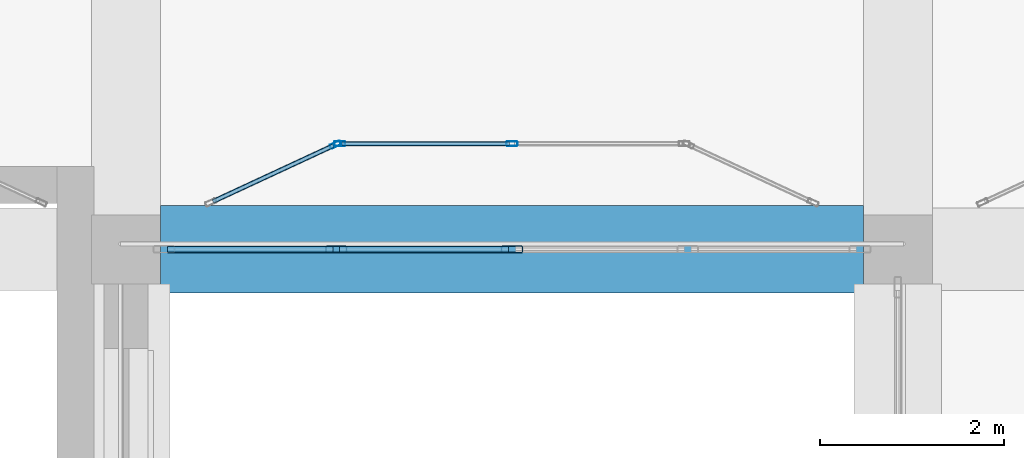
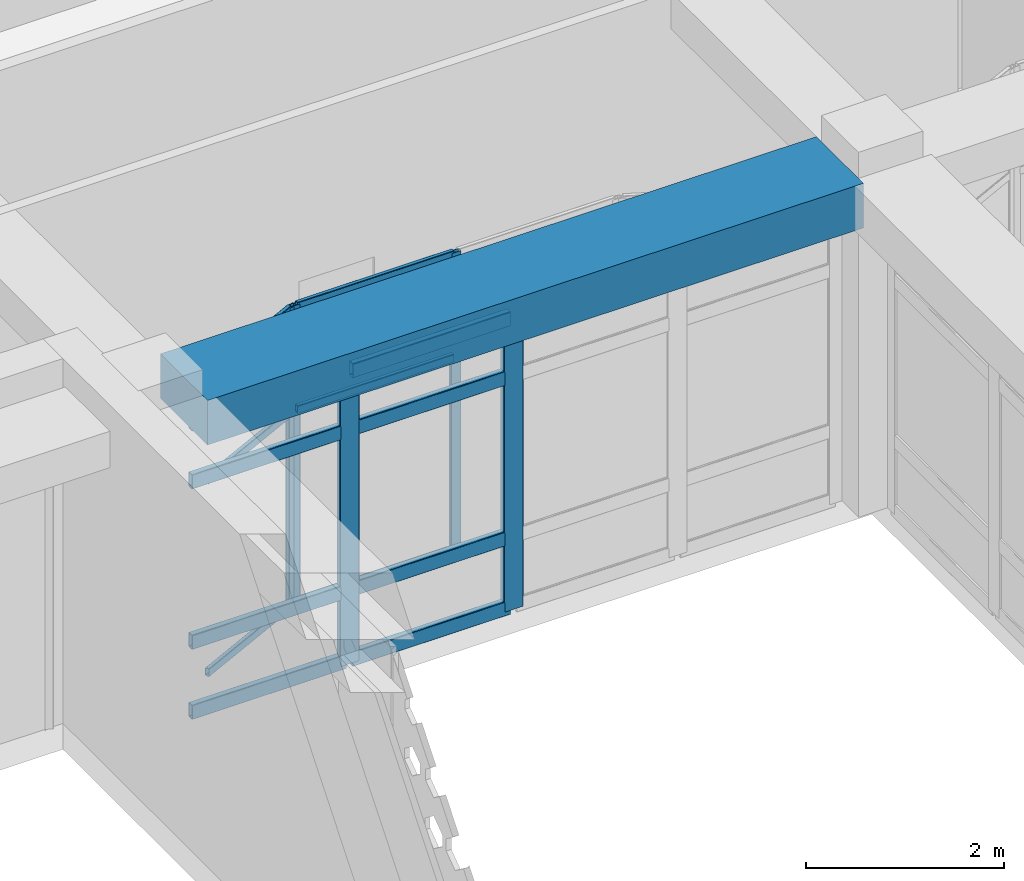
# One storey, part 13 of 121: 19 members, 1 beam, 3 elements without a shape of their own.
"""IFC4 building model written with IfcOpenShell, lengths in metres."""

from ifc_helpers import new_model, si_unit, derived_unit, direction, frame, origin, origin_2d, place, context, subcontext, project, spatial, rectangle, hollow_rectangle, extrude, material, material_profile, profile_set, type_object, element, aggregate, save


model = new_model("IFC4")

# Units and contexts
model_context = context("Model", 3, precision=1e-05, world=origin(), true_north=direction((0.0, 1.0)))
body_context = subcontext(model_context, "Body", "Model", "MODEL_VIEW")
ifc_project = project(units=[si_unit("LENGTHUNIT", "METRE"), si_unit("AREAUNIT", "SQUARE_METRE"), si_unit("VOLUMEUNIT", "CUBIC_METRE"), si_unit("PLANEANGLEUNIT", "RADIAN"), si_unit("MASSUNIT", "GRAM", prefix="KILO"), derived_unit("THERMALTRANSMITTANCEUNIT", [(si_unit("POWERUNIT", "WATT"), 1), (si_unit("LENGTHUNIT", "METRE"), -2), (si_unit("THERMODYNAMICTEMPERATUREUNIT", "KELVIN"), -1)])], contexts=[model_context])

# Site, building, storey
site_placement = place(None, origin())
site = spatial("IfcSite", under=ifc_project, at=site_placement, CompositionType="ELEMENT")
building_placement = place(site_placement, origin())
building = spatial("IfcBuilding", under=site, at=building_placement, Name="Veybourne Emporium", CompositionType="ELEMENT")
storey_placement = place(building_placement, frame((0.0, 0.0, 5.39990234375)))
storey = spatial("IfcBuildingStorey", under=building, at=storey_placement, Name="L01", CompositionType="ELEMENT", Elevation=5.39990234375)

# Curtain wall, members
ifc_material_1 = material(Name="Patinated Architectural Bronze", Category="bronze")
curtain_wall_type_1 = type_object("IfcCurtainWallType", Name="CWSystem_CWS-10", PredefinedType="NOTDEFINED", material=ifc_material_1)
curtain_wall_1_placement = place(storey_placement, origin())
curtain_wall_1 = element("IfcCurtainWall", 1, at=curtain_wall_1_placement, inside=storey, type_object=curtain_wall_type_1, Name="L01 bronze glazed curtain wall CWS-10 (035)", PredefinedType="NOTDEFINED")
ifc_material_profile_1 = material_profile(ifc_material_1, hollow_rectangle(XDim=0.074951171875, YDim=0.22998046875, WallThickness=0.0048828125, InnerFilletRadius=0.007568359375, OuterFilletRadius=0.012451171875, at=origin_2d()), Name="CWM 75x230x5")
ifc_profile_set_1 = profile_set([ifc_material_profile_1], Name="Patinated Architectural Bronze")
member_type_1 = type_object("IfcMemberType", Name="CWMullion_CW-M2", PredefinedType="MULLION", material=ifc_profile_set_1)
member_1_placement = place(storey_placement, frame((63.0, 21.60009765625, 0.0), z_axis=(0.0, 0.0, 1.0), x_axis=(0.0, -1.0, 0.0)))
member_1 = element("IfcMember", 2, at=member_1_placement, type_object=member_type_1, Name="CWS-10 mullion 3", PredefinedType="MULLION", context=body_context, shape_type="SweptSolid", body=[
    extrude(hollow_rectangle(XDim=0.074951171875, YDim=0.22998046875, WallThickness=0.0048828125, InnerFilletRadius=0.007568359375, OuterFilletRadius=0.012451171875, at=origin_2d()), origin(), (0.0, 0.0, 1.0), 3.630126953125),
])
member_2_placement = place(storey_placement, frame((61.08740234375, 21.60009765625, 0.0), z_axis=(0.0, 0.0, 1.0), x_axis=(0.0, -1.0, 0.0)))
member_2 = element("IfcMember", 3, at=member_2_placement, type_object=member_type_1, Name="CWS-10 mullion 4", PredefinedType="MULLION", context=body_context, shape_type="SweptSolid", body=[
    extrude(hollow_rectangle(XDim=0.074951171875, YDim=0.22998046875, WallThickness=0.0048828125, InnerFilletRadius=0.007568359375, OuterFilletRadius=0.012451171875, at=origin_2d()), origin(), (0.0, 0.0, 1.0), 3.630126953125),
])

# Curtain wall, member
curtain_wall_type_2 = type_object("IfcCurtainWallType", Name="CWSystem_CWI-02", PredefinedType="NOTDEFINED", material=ifc_material_1)
curtain_wall_2_placement = place(storey_placement, origin())
curtain_wall_2 = element("IfcCurtainWall", 4, at=curtain_wall_2_placement, inside=storey, type_object=curtain_wall_type_2, Name="Arcade bow-front boutique shopfront L01 bay 7 facet 1", PredefinedType="NOTDEFINED")
ifc_material_profile_2 = material_profile(ifc_material_1, hollow_rectangle(XDim=0.050048828125, YDim=0.1201171875, WallThickness=0.00390625, InnerFilletRadius=0.006103515625, OuterFilletRadius=0.010009765625, at=origin_2d()), Name="CWM 50x120x4")
ifc_profile_set_2 = profile_set([ifc_material_profile_2], Name="Patinated Architectural Bronze")
member_type_2 = type_object("IfcMemberType", Name="CWMullion_CW-M5", PredefinedType="MULLION", material=ifc_profile_set_2)
member_3_placement = place(storey_placement, frame((61.077392578125, 22.739501953125, 0.0), z_axis=(0.0, 0.0, 1.0), x_axis=(-0.421111306453, 0.907008967749, 0.0)))
member_3 = element("IfcMember", 5, at=member_3_placement, type_object=member_type_2, Name="CWI-02 mullion 2", PredefinedType="MULLION", context=body_context, shape_type="SweptSolid", body=[
    extrude(hollow_rectangle(XDim=0.050048828125, YDim=0.1201171875, WallThickness=0.00390625, InnerFilletRadius=0.006103515625, OuterFilletRadius=0.010009765625, at=origin_2d()), origin(), (0.0, 0.0, 1.0), 3.7001953125),
])

# Curtain wall, members
curtain_wall_type_3 = type_object("IfcCurtainWallType", Name="CWSystem_CWI-03", PredefinedType="NOTDEFINED", material=ifc_material_1)
curtain_wall_3_placement = place(storey_placement, origin())
curtain_wall_3 = element("IfcCurtainWall", 6, at=curtain_wall_3_placement, inside=storey, type_object=curtain_wall_type_3, Name="Arcade bow-front boutique shopfront L01 bay 7 facet 2", PredefinedType="NOTDEFINED")
member_4_placement = place(storey_placement, frame((61.125, 22.75, 0.0), z_axis=(0.0, 0.0, 1.0), x_axis=(0.0, 1.0, 0.0)))
member_4 = element("IfcMember", 7, at=member_4_placement, type_object=member_type_2, Name="CWI-03 mullion 1", PredefinedType="MULLION", context=body_context, shape_type="SweptSolid", body=[
    extrude(hollow_rectangle(XDim=0.050048828125, YDim=0.1201171875, WallThickness=0.00390625, InnerFilletRadius=0.006103515625, OuterFilletRadius=0.010009765625, at=origin_2d()), origin(), (0.0, 0.0, 1.0), 3.7001953125),
])
member_5_placement = place(storey_placement, frame((63.0, 22.75, 0.0), z_axis=(0.0, 0.0, 1.0), x_axis=(0.0, 1.0, 0.0)))
member_5 = element("IfcMember", 8, at=member_5_placement, type_object=member_type_2, Name="CWI-03 mullion 2", PredefinedType="MULLION", context=body_context, shape_type="SweptSolid", body=[
    extrude(hollow_rectangle(XDim=0.050048828125, YDim=0.1201171875, WallThickness=0.00390625, InnerFilletRadius=0.006103515625, OuterFilletRadius=0.010009765625, at=origin_2d()), origin(), (0.0, 0.0, 1.0), 3.7001953125),
])

# Member
ifc_material_profile_3 = material_profile(ifc_material_1, hollow_rectangle(XDim=0.074951171875, YDim=0.179931640625, WallThickness=0.0048828125, InnerFilletRadius=0.007568359375, OuterFilletRadius=0.012451171875, at=origin_2d()), Name="CWT 75x180x5")
ifc_profile_set_3 = profile_set([ifc_material_profile_3], Name="Patinated Architectural Bronze")
member_type_3 = type_object("IfcMemberType", Name="CWTransom_CW-T2", PredefinedType="NOTDEFINED", material=ifc_profile_set_3)
member_6_placement = place(storey_placement, frame((62.96240234375, 21.60009765625, 0.03759765625), z_axis=(-1.0, 0.0, 0.0), x_axis=(0.0, -1.0, 0.0)))
member_6 = element("IfcMember", 9, at=member_6_placement, type_object=member_type_3, Name="CWS-10 transom 3.1", ObjectType="TRANSOM", PredefinedType="USERDEFINED", context=body_context, shape_type="SweptSolid", body=[
    extrude(hollow_rectangle(XDim=0.074951171875, YDim=0.179931640625, WallThickness=0.0048828125, InnerFilletRadius=0.007568359375, OuterFilletRadius=0.012451171875, at=origin_2d()), origin(), (0.0, 0.0, 1.0), 1.83740234375),
])

member_7_placement = place(storey_placement, frame((62.96240234375, 21.60009765625, 0.900146484375), z_axis=(-1.0, 0.0, 0.0), x_axis=(0.0, -1.0, 0.0)))
member_7 = element("IfcMember", 10, at=member_7_placement, type_object=member_type_3, Name="CWS-10 transom 3.2", ObjectType="TRANSOM", PredefinedType="USERDEFINED", context=body_context, shape_type="SweptSolid", body=[
    extrude(hollow_rectangle(XDim=0.074951171875, YDim=0.179931640625, WallThickness=0.0048828125, InnerFilletRadius=0.007568359375, OuterFilletRadius=0.012451171875, at=origin_2d()), origin(), (0.0, 0.0, 1.0), 1.83740234375),
])

member_8_placement = place(storey_placement, frame((62.96240234375, 21.60009765625, 2.880126953125), z_axis=(-1.0, 0.0, 0.0), x_axis=(0.0, -1.0, 0.0)))
member_8 = element("IfcMember", 11, at=member_8_placement, type_object=member_type_3, Name="CWS-10 transom 3.3", ObjectType="TRANSOM", PredefinedType="USERDEFINED", context=body_context, shape_type="SweptSolid", body=[
    extrude(hollow_rectangle(XDim=0.074951171875, YDim=0.179931640625, WallThickness=0.0048828125, InnerFilletRadius=0.007568359375, OuterFilletRadius=0.012451171875, at=origin_2d()), origin(), (0.0, 0.0, 1.0), 1.83740234375),
])

member_9_placement = place(storey_placement, frame((62.96240234375, 21.60009765625, 3.592529296875), z_axis=(-1.0, 0.0, 0.0), x_axis=(0.0, -1.0, 0.0)))
member_9 = element("IfcMember", 12, at=member_9_placement, type_object=member_type_3, Name="CWS-10 transom 3.4", ObjectType="TRANSOM", PredefinedType="USERDEFINED", context=body_context, shape_type="SweptSolid", body=[
    extrude(hollow_rectangle(XDim=0.074951171875, YDim=0.179931640625, WallThickness=0.0048828125, InnerFilletRadius=0.007568359375, OuterFilletRadius=0.012451171875, at=origin_2d()), origin(), (0.0, 0.0, 1.0), 1.83740234375),
])

member_10_placement = place(storey_placement, frame((61.050048828125, 21.60009765625, 0.03759765625), z_axis=(-1.0, 0.0, 0.0), x_axis=(0.0, -1.0, 0.0)))
member_10 = element("IfcMember", 13, at=member_10_placement, type_object=member_type_3, Name="CWS-10 transom 4.1", ObjectType="TRANSOM", PredefinedType="USERDEFINED", context=body_context, shape_type="SweptSolid", body=[
    extrude(hollow_rectangle(XDim=0.074951171875, YDim=0.179931640625, WallThickness=0.0048828125, InnerFilletRadius=0.007568359375, OuterFilletRadius=0.012451171875, at=origin_2d()), origin(), (0.0, 0.0, 1.0), 1.800048828125),
])

member_11_placement = place(storey_placement, frame((61.050048828125, 21.60009765625, 0.900146484375), z_axis=(-1.0, 0.0, 0.0), x_axis=(0.0, -1.0, 0.0)))
member_11 = element("IfcMember", 14, at=member_11_placement, type_object=member_type_3, Name="CWS-10 transom 4.2", ObjectType="TRANSOM", PredefinedType="USERDEFINED", context=body_context, shape_type="SweptSolid", body=[
    extrude(hollow_rectangle(XDim=0.074951171875, YDim=0.179931640625, WallThickness=0.0048828125, InnerFilletRadius=0.007568359375, OuterFilletRadius=0.012451171875, at=origin_2d()), origin(), (0.0, 0.0, 1.0), 1.800048828125),
])

member_12_placement = place(storey_placement, frame((61.050048828125, 21.60009765625, 2.880126953125), z_axis=(-1.0, 0.0, 0.0), x_axis=(0.0, -1.0, 0.0)))
member_12 = element("IfcMember", 15, at=member_12_placement, type_object=member_type_3, Name="CWS-10 transom 4.3", ObjectType="TRANSOM", PredefinedType="USERDEFINED", context=body_context, shape_type="SweptSolid", body=[
    extrude(hollow_rectangle(XDim=0.074951171875, YDim=0.179931640625, WallThickness=0.0048828125, InnerFilletRadius=0.007568359375, OuterFilletRadius=0.012451171875, at=origin_2d()), origin(), (0.0, 0.0, 1.0), 1.800048828125),
])

member_13_placement = place(storey_placement, frame((61.050048828125, 21.60009765625, 3.592529296875), z_axis=(-1.0, 0.0, 0.0), x_axis=(0.0, -1.0, 0.0)))
member_13 = element("IfcMember", 16, at=member_13_placement, type_object=member_type_3, Name="CWS-10 transom 4.4", ObjectType="TRANSOM", PredefinedType="USERDEFINED", context=body_context, shape_type="SweptSolid", body=[
    extrude(hollow_rectangle(XDim=0.074951171875, YDim=0.179931640625, WallThickness=0.0048828125, InnerFilletRadius=0.007568359375, OuterFilletRadius=0.012451171875, at=origin_2d()), origin(), (0.0, 0.0, 1.0), 1.800048828125),
])

aggregate(curtain_wall_1, [member_1, member_2, member_6, member_7, member_8, member_9, member_10, member_11, member_12, member_13])

ifc_material_profile_4 = material_profile(ifc_material_1, hollow_rectangle(XDim=0.050048828125, YDim=0.10009765625, WallThickness=0.00390625, InnerFilletRadius=0.006103515625, OuterFilletRadius=0.010009765625, at=origin_2d()), Name="CWT 50x100x4")
ifc_profile_set_4 = profile_set([ifc_material_profile_4], Name="Patinated Architectural Bronze")
member_type_4 = type_object("IfcMemberType", Name="CWTransom_CW-T5", PredefinedType="NOTDEFINED", material=ifc_profile_set_4)
member_14_placement = place(storey_placement, frame((59.745361328125, 22.12109375, 0.025146484375), z_axis=(0.907006660705, 0.421116275435, 0.0), x_axis=(-0.421116275435, 0.907006660705, 0.0)))
member_14 = element("IfcMember", 17, at=member_14_placement, type_object=member_type_4, Name="CWI-02 transom 1.1", ObjectType="TRANSOM", PredefinedType="USERDEFINED", context=body_context, shape_type="SweptSolid", body=[
    extrude(hollow_rectangle(XDim=0.050048828125, YDim=0.10009765625, WallThickness=0.00390625, InnerFilletRadius=0.006103515625, OuterFilletRadius=0.010009765625, at=origin_2d()), origin(), (0.0, 0.0, 1.0), 1.443603515625),
])

member_15_placement = place(storey_placement, frame((59.745361328125, 22.12109375, 2.400146484375), z_axis=(0.907006660705, 0.421116275435, 0.0), x_axis=(-0.421116275435, 0.907006660705, 0.0)))
member_15 = element("IfcMember", 18, at=member_15_placement, type_object=member_type_4, Name="CWI-02 transom 1.2", ObjectType="TRANSOM", PredefinedType="USERDEFINED", context=body_context, shape_type="SweptSolid", body=[
    extrude(hollow_rectangle(XDim=0.050048828125, YDim=0.10009765625, WallThickness=0.00390625, InnerFilletRadius=0.006103515625, OuterFilletRadius=0.010009765625, at=origin_2d()), origin(), (0.0, 0.0, 1.0), 1.443603515625),
])

member_16_placement = place(storey_placement, frame((59.745361328125, 22.12109375, 3.675048828125), z_axis=(0.907006660705, 0.421116275435, 0.0), x_axis=(-0.421116275435, 0.907006660705, 0.0)))
member_16 = element("IfcMember", 19, at=member_16_placement, type_object=member_type_4, Name="CWI-02 transom 1.3", ObjectType="TRANSOM", PredefinedType="USERDEFINED", context=body_context, shape_type="SweptSolid", body=[
    extrude(hollow_rectangle(XDim=0.050048828125, YDim=0.10009765625, WallThickness=0.00390625, InnerFilletRadius=0.006103515625, OuterFilletRadius=0.010009765625, at=origin_2d()), origin(), (0.0, 0.0, 1.0), 1.443603515625),
])

aggregate(curtain_wall_2, [member_3, member_14, member_15, member_16])

member_17_placement = place(storey_placement, frame((61.14990234375, 22.75, 0.025146484375), z_axis=(1.0, 0.0, 0.0), x_axis=(0.0, 1.0, 0.0)))
member_17 = element("IfcMember", 20, at=member_17_placement, type_object=member_type_4, Name="CWI-03 transom 1.1", ObjectType="TRANSOM", PredefinedType="USERDEFINED", context=body_context, shape_type="SweptSolid", body=[
    extrude(hollow_rectangle(XDim=0.050048828125, YDim=0.10009765625, WallThickness=0.00390625, InnerFilletRadius=0.006103515625, OuterFilletRadius=0.010009765625, at=origin_2d()), origin(), (0.0, 0.0, 1.0), 1.8251953125),
])

member_18_placement = place(storey_placement, frame((61.14990234375, 22.75, 2.400146484375), z_axis=(1.0, 0.0, 0.0), x_axis=(0.0, 1.0, 0.0)))
member_18 = element("IfcMember", 21, at=member_18_placement, type_object=member_type_4, Name="CWI-03 transom 1.2", ObjectType="TRANSOM", PredefinedType="USERDEFINED", context=body_context, shape_type="SweptSolid", body=[
    extrude(hollow_rectangle(XDim=0.050048828125, YDim=0.10009765625, WallThickness=0.00390625, InnerFilletRadius=0.006103515625, OuterFilletRadius=0.010009765625, at=origin_2d()), origin(), (0.0, 0.0, 1.0), 1.8251953125),
])

member_19_placement = place(storey_placement, frame((61.14990234375, 22.75, 3.675048828125), z_axis=(1.0, 0.0, 0.0), x_axis=(0.0, 1.0, 0.0)))
member_19 = element("IfcMember", 22, at=member_19_placement, type_object=member_type_4, Name="CWI-03 transom 1.3", ObjectType="TRANSOM", PredefinedType="USERDEFINED", context=body_context, shape_type="SweptSolid", body=[
    extrude(hollow_rectangle(XDim=0.050048828125, YDim=0.10009765625, WallThickness=0.00390625, InnerFilletRadius=0.006103515625, OuterFilletRadius=0.010009765625, at=origin_2d()), origin(), (0.0, 0.0, 1.0), 1.8251953125),
])

aggregate(curtain_wall_3, [member_4, member_5, member_17, member_18, member_19])

# Beam
ifc_material_2 = material(Name="Concrete C32/40", Category="concrete")
ifc_material_profile_5 = material_profile(ifc_material_2, rectangle(XDim=0.949951171875, YDim=0.550048828125, at=origin_2d()), Name="RC 950x550")
ifc_profile_set_5 = profile_set([ifc_material_profile_5], Name="Concrete C32/40")
beam_type = type_object("IfcBeamType", Name="RCBeam_EB-01", PredefinedType="SPANDREL", material=ifc_profile_set_5)
beam_placement = place(storey_placement, frame((59.175048828125, 21.60009765625, 3.905029296875), z_axis=(1.0, 0.0, 0.0), x_axis=(0.0, 1.0, 0.0)))
element("IfcBeam", 23, at=beam_placement, inside=storey, type_object=beam_type, Name="L01 X-grid beam EB-01 (7,3)", PredefinedType="SPANDREL", context=body_context, shape_type="SweptSolid", body=[
    extrude(rectangle(XDim=0.949951171875, YDim=0.550048828125, at=origin_2d()), origin(), (0.0, 0.0, 1.0), 7.64990234375),
])

save(model, "model.ifc")
